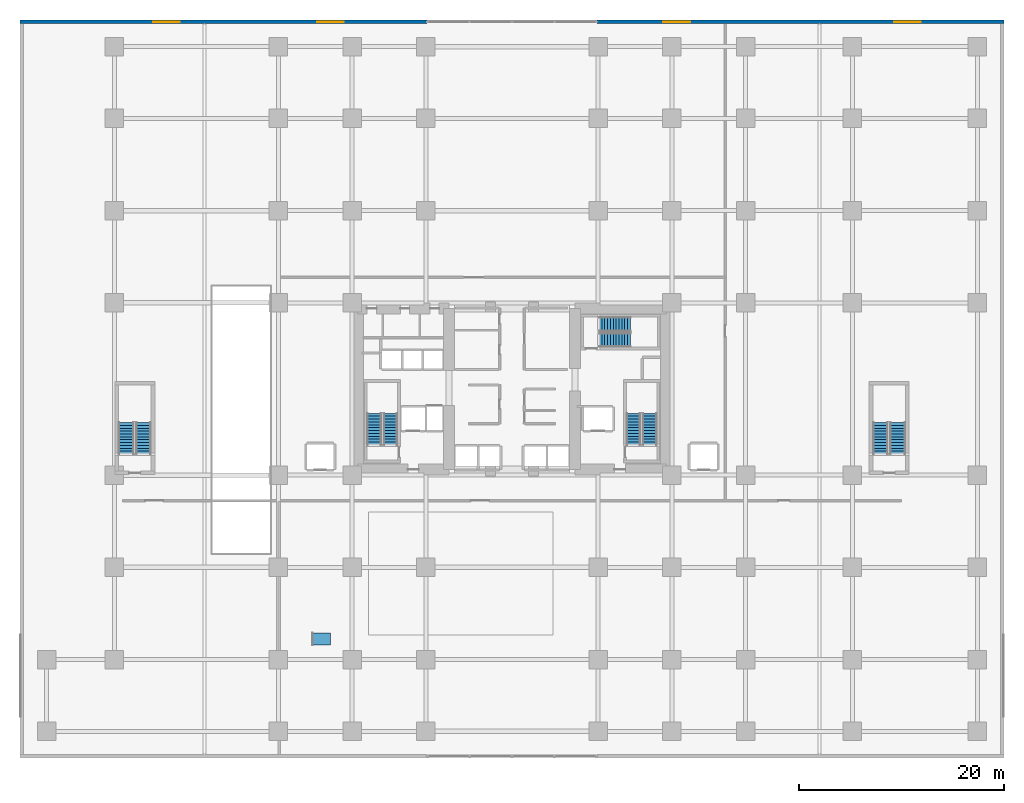
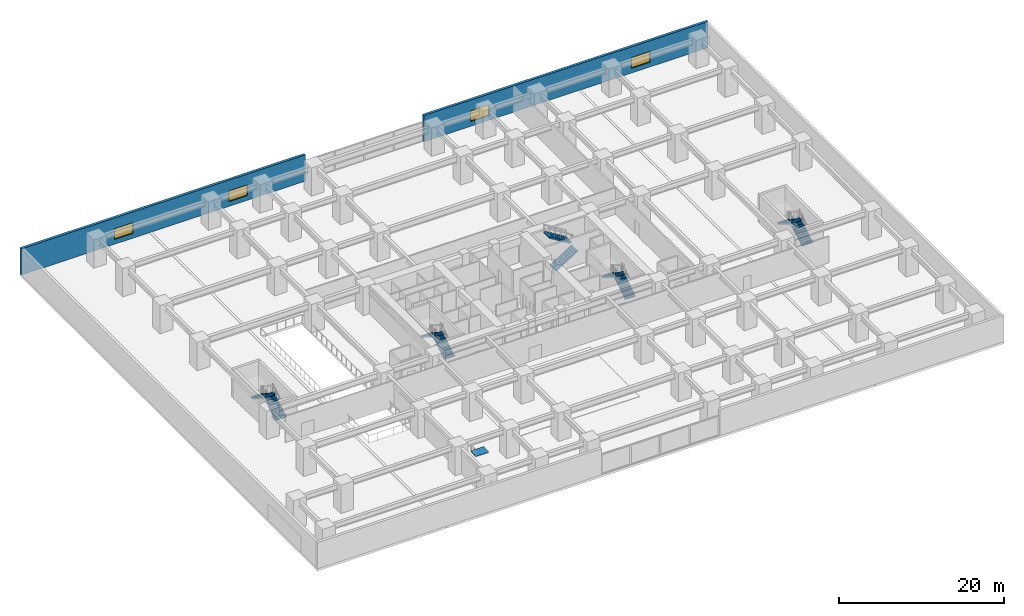
# One storey, part 14 of 22: 10 stair flights, 4 windows, 2 walls, 1 ramp flight, 4 openings, 6 elements without a shape of their own.
"""IFC4 building model written with IfcOpenShell, lengths in metres."""

import ifcopenshell
import ifcopenshell.guid

model = None  # the IFC model being written
_history = None  # IfcOwnerHistory: only IFC2X3 demands one
_inside = {}  # id of a spatial element -> (the spatial element, [elements in it])
_under = {}  # id of a project, library or spatial element -> (it, [spatial elements below it])
_declared = {}  # id of a project -> (the project, [libraries it declares])
_typed = {}  # id of a type object -> (the type object, [elements of that type])
_made_of = {}  # id of a material, layer set ... -> (it, [elements and type objects made of it])


def new_model(schema):
    """Start an empty IFC model of exactly this schema.

    Asked for "IFC4X3", IfcOpenShell would pick the latest addendum, in which some entities
    have other attributes; the version numbers below select the first issue.
    IFC2X3 requires an IfcOwnerHistory on every rooted entity: one is made here for all.
    """
    global model, _history
    if schema == "IFC4X3":
        model = ifcopenshell.file(schema_version=(4, 3, 0, 0))
    else:
        model = ifcopenshell.file(schema=schema)
    _inside.clear()
    _under.clear()
    _declared.clear()
    _typed.clear()
    _made_of.clear()
    _history = None
    if model.schema == "IFC2X3":
        org = make("IfcOrganization", Name="unknown")
        user = make(
            "IfcPersonAndOrganization",
            ThePerson=make("IfcPerson", FamilyName="unknown"),
            TheOrganization=org,
        )
        app = make(
            "IfcApplication",
            ApplicationDeveloper=org,
            Version="unknown",
            ApplicationFullName="unknown",
            ApplicationIdentifier="unknown",
        )
        _history = make(
            "IfcOwnerHistory",
            OwningUser=user,
            OwningApplication=app,
            ChangeAction="ADDED",
            CreationDate=0,
        )
    return model


def make(cls, **values):
    """One entity of the class cls with the attributes given. An attribute that is None is left unset."""
    return model.create_entity(
        cls, **{name: value for name, value in values.items() if value is not None}
    )


def rooted(cls, **values):
    """An entity with a GlobalId (a new one), such as an element, a storey or a relation."""
    return make(cls, GlobalId=ifcopenshell.guid.new(), OwnerHistory=_history, **values)


def si_unit(unit_type, name, prefix=None):
    """IfcSIUnit, for example si_unit("LENGTHUNIT", "METRE", prefix="MILLI")."""
    return make("IfcSIUnit", UnitType=unit_type, Prefix=prefix, Name=name)


def assignment(units):
    """IfcUnitAssignment: the units of a project."""
    return None if units is None else make("IfcUnitAssignment", Units=units)


def point(xyz):
    """IfcCartesianPoint."""
    return None if xyz is None else make("IfcCartesianPoint", Coordinates=xyz)


def direction(xyz):
    """IfcDirection."""
    return None if xyz is None else make("IfcDirection", DirectionRatios=xyz)


def frame(location, z_axis=None, x_axis=None):
    """IfcAxis2Placement3D, a coordinate frame: its origin and axes. An axis left out is left unset."""
    return make(
        "IfcAxis2Placement3D",
        Location=point(location),
        Axis=direction(z_axis),
        RefDirection=direction(x_axis),
    )


def frame_2d(location, x_axis=None):
    """IfcAxis2Placement2D, a coordinate frame in the plane: its origin and x axis."""
    return make(
        "IfcAxis2Placement2D", Location=point(location), RefDirection=direction(x_axis)
    )


def origin():
    """The frame at (0, 0, 0) with its axes left unset."""
    return frame((0.0, 0.0, 0.0))


def place(relative_to, where):
    """IfcLocalPlacement: puts the frame where relative to a parent placement (None: the world)."""
    return make(
        "IfcLocalPlacement", PlacementRelTo=relative_to, RelativePlacement=where
    )


def context(
    kind, dimensions, precision=None, world=None, true_north=None, identifier=None
):
    """IfcGeometricRepresentationContext, for example the 3D "Model" context."""
    return make(
        "IfcGeometricRepresentationContext",
        ContextIdentifier=identifier,
        ContextType=kind,
        CoordinateSpaceDimension=dimensions,
        Precision=precision,
        WorldCoordinateSystem=world,
        TrueNorth=true_north,
    )


def subcontext(parent, identifier, kind, view, scale=None):
    """IfcGeometricRepresentationSubContext, for example "Body" below "Model"."""
    return make(
        "IfcGeometricRepresentationSubContext",
        ContextIdentifier=identifier,
        ContextType=kind,
        ParentContext=parent,
        TargetScale=scale,
        TargetView=view,
    )


def project(units=None, contexts=None):
    """IfcProject with its units and contexts."""
    return rooted(
        "IfcProject",
        Name="project",
        RepresentationContexts=contexts,
        UnitsInContext=assignment(units),
    )


def spatial(cls, under=None, at=None, **own):
    """A site, building, storey or space (cls), placed at a placement, below another one or the project."""
    s = rooted(cls, ObjectPlacement=at, **own)
    if under is not None:
        _under.setdefault(under.id(), (under, []))[1].append(s)
    return s


def polyline(points):
    """IfcPolyline through the points."""
    return make("IfcPolyline", Points=[point(p) for p in points])


def profile(cls, at=None, kind="AREA", **sizes):
    """A parametric profile (cls). Its sizes go by their IFC names, for example OverallWidth=200.0."""
    return make(cls, ProfileType=kind, Position=at, **sizes)


def rectangle(**sizes):
    """IfcRectangleProfileDef."""
    return profile("IfcRectangleProfileDef", **sizes)


def outline(outer, holes=None, kind="AREA"):
    """IfcArbitraryClosedProfileDef: a profile drawn as a closed curve; with holes, ...WithVoids."""
    if holes is None:
        return make("IfcArbitraryClosedProfileDef", ProfileType=kind, OuterCurve=outer)
    return make(
        "IfcArbitraryProfileDefWithVoids",
        ProfileType=kind,
        OuterCurve=outer,
        InnerCurves=holes,
    )


def extrude(swept, where, along, depth):
    """IfcExtrudedAreaSolid: the profile swept, set in the frame where, extruded along a direction by depth."""
    return make(
        "IfcExtrudedAreaSolid",
        SweptArea=swept,
        Position=where,
        ExtrudedDirection=direction(along),
        Depth=depth,
    )


def shape(context_of_items, identifier, shape_type, items):
    """IfcShapeRepresentation: the items that make up one representation, for example the "Body"."""
    return make(
        "IfcShapeRepresentation",
        ContextOfItems=context_of_items,
        RepresentationIdentifier=identifier,
        RepresentationType=shape_type,
        Items=items,
    )


def material(Name=None, Category=None):
    """IfcMaterial."""
    return make("IfcMaterial", Name=Name, Category=Category)


def layer(
    of_material, thickness, ventilated=None, Name=None, Category=None, Priority=None
):
    """IfcMaterialLayer: one layer of a wall or slab, of a material (None: an air gap)."""
    return make(
        "IfcMaterialLayer",
        Material=of_material,
        LayerThickness=thickness,
        IsVentilated=ventilated,
        Name=Name,
        Category=Category,
        Priority=Priority,
    )


def layer_set(layers, Name=None):
    """IfcMaterialLayerSet."""
    return make("IfcMaterialLayerSet", MaterialLayers=layers, LayerSetName=Name)


def made_of(thing, what):
    """Note that an element or type object is made of a material, layer set ...; save() writes the relation."""
    if what is not None:
        _made_of.setdefault(what.id(), (what, []))[1].append(thing)
    return thing


def type_object(cls, material=None, **own):
    """A type object (cls), such as IfcWallType, which elements share."""
    return made_of(rooted(cls, **own), material)


def element(
    cls,
    number,
    at=None,
    inside=None,
    cuts=None,
    type_object=None,
    material=None,
    context=None,
    identifier="Body",
    shape_type=None,
    held_by="IfcProductDefinitionShape",
    body=None,
    shapes=None,
    **own,
):
    """One element of the class cls, such as IfcWall. Its Tag is "e" and its number.

    at: its placement. inside: the storey or other place that contains it. cuts: it is an
    opening in that element (IfcRelVoidsElement). A single representation is given by context,
    identifier, shape_type and body (its items); several are given by shapes. held_by: the class
    of the entity that holds the representations. save() writes the other relations.
    """
    e = rooted(cls, Tag="e%d" % number, ObjectPlacement=at, **own)
    if body is not None:
        shapes = [shape(context, identifier, shape_type, body)]
    if shapes is not None:
        e.Representation = make(held_by, Representations=shapes)
    if inside is not None:
        _inside.setdefault(inside.id(), (inside, []))[1].append(e)
    if cuts is not None:
        rooted(
            "IfcRelVoidsElement", RelatingBuildingElement=cuts, RelatedOpeningElement=e
        )
    if type_object is not None:
        _typed.setdefault(type_object.id(), (type_object, []))[1].append(e)
    return made_of(e, material)


def fill(opening, filler):
    """IfcRelFillsElement: the door or window that sits in an opening."""
    return rooted(
        "IfcRelFillsElement",
        RelatingOpeningElement=opening,
        RelatedBuildingElement=filler,
    )


def aggregate(whole, parts):
    """IfcRelAggregates: a whole, such as a stair, and the parts it consists of."""
    return rooted("IfcRelAggregates", RelatingObject=whole, RelatedObjects=parts)


def save(model, path):
    """Write the relations noted so far, then the file.

    IfcRelAggregates (storeys below a building ...), IfcRelContainedInSpatialStructure (elements
    in a storey), IfcRelDefinesByType, IfcRelAssociatesMaterial and IfcRelDeclares: one each for
    every whole, place, type object, material and project.
    """
    for whole, parts in _under.values():
        aggregate(whole, parts)
    for where, things in _inside.values():
        rooted(
            "IfcRelContainedInSpatialStructure",
            RelatedElements=things,
            RelatingStructure=where,
        )
    for kind, things in _typed.values():
        rooted("IfcRelDefinesByType", RelatedObjects=things, RelatingType=kind)
    for what, things in _made_of.values():
        rooted("IfcRelAssociatesMaterial", RelatedObjects=things, RelatingMaterial=what)
    for by, libraries in _declared.values():
        rooted("IfcRelDeclares", RelatingContext=by, RelatedDefinitions=libraries)
    model.write(path)


model = new_model("IFC4")

# Units and contexts
model_context = context("Model", 3, precision=1e-05, world=origin(), true_north=direction((0.0, 1.0)))
body_context = subcontext(model_context, "Body", "Model", "MODEL_VIEW")
ifc_project = project(units=[si_unit("LENGTHUNIT", "METRE"), si_unit("AREAUNIT", "SQUARE_METRE"), si_unit("VOLUMEUNIT", "CUBIC_METRE"), si_unit("PLANEANGLEUNIT", "RADIAN"), si_unit("MASSUNIT", "GRAM", prefix="KILO")], contexts=[model_context])

# Site, building, storey
site_placement = place(None, origin())
site = spatial("IfcSite", under=ifc_project, at=site_placement, CompositionType="ELEMENT")
building_placement = place(site_placement, origin())
building = spatial("IfcBuilding", under=site, at=building_placement, Name="Kiyonajd Concourse Tower", CompositionType="ELEMENT")
storey_placement = place(building_placement, frame((0.0, 0.0, 8.699951171875)))
storey = spatial("IfcBuildingStorey", under=building, at=storey_placement, Name="L03", CompositionType="ELEMENT", Elevation=8.699951171875)

# Wall, openings, windows
ifc_material_1 = material(Name="Precast concrete C50/60", Category="concrete")
ifc_layer_1 = layer(ifc_material_1, 0.360107421875)
ifc_layer_set_1 = layer_set([ifc_layer_1], Name="Precast concrete C50/60")
wall_type = type_object("IfcWallType", Name="WL-EXT-360", PredefinedType="SOLIDWALL", material=ifc_layer_set_1)
wall_1_placement = place(storey_placement, frame((0.0, 71.820068359375, 0.0), z_axis=(0.0, 0.0, 1.0), x_axis=(1.0, 0.0, 0.0)))
wall_1 = element("IfcWall", 1, at=wall_1_placement, inside=storey, type_object=wall_type, Name="L03 North West Podium Facade Wall", PredefinedType="SOLIDWALL", context=body_context, shape_type="SweptSolid", body=[
    extrude(rectangle(XDim=39.719970703125, YDim=0.360107421875, at=frame_2d((19.85986328125, 0.0))), origin(), (0.0, 0.0, 1.0), 3.880126953125),
])
opening_1_placement = place(wall_1_placement, frame((13.0, 0.0, 0.699951171875)))
opening_1 = element("IfcOpeningElement", 2, at=opening_1_placement, cuts=wall_1, Name="Opening WN8", PredefinedType="OPENING", context=body_context, shape_type="SweptSolid", body=[
    extrude(rectangle(XDim=2.60009765625, YDim=1.60009765625, at=frame_2d((1.300048828125, 0.800048828125))), frame((0.0, 0.18994140625, 0.0), z_axis=(0.0, -1.0, 0.0), x_axis=(1.0, 0.0, 0.0)), (0.0, 0.0, 1.0), 0.380126953125),
])
opening_2_placement = place(wall_1_placement, frame((29.0, 0.0, 0.699951171875)))
opening_2 = element("IfcOpeningElement", 3, at=opening_2_placement, cuts=wall_1, Name="Opening WN8", PredefinedType="OPENING", context=body_context, shape_type="SweptSolid", body=[
    extrude(rectangle(XDim=2.60009765625, YDim=1.60009765625, at=frame_2d((1.300048828125, 0.800048828125))), frame((0.0, 0.18994140625, 0.0), z_axis=(0.0, -1.0, 0.0), x_axis=(1.0, 0.0, 0.0)), (0.0, 0.0, 1.0), 0.380126953125),
])
ifc_material_2 = material(Name="Double Low-E Insulated Glass", Category="glass")
window_type = type_object("IfcWindowType", Name="WN-POD-2600x1600", PartitioningType="SINGLE_PANEL", PredefinedType="WINDOW", material=ifc_material_2)
window_1_placement = place(opening_1_placement, origin())
window_1 = element("IfcWindow", 4, at=window_1_placement, inside=storey, type_object=window_type, Name="L03 North West Podium Vision Window", OverallHeight=1.60009765625, OverallWidth=2.60009765625, PartitioningType="SINGLE_PANEL", PredefinedType="WINDOW", context=body_context, shape_type="SweptSolid", body=[
    extrude(rectangle(XDim=2.60009765625, YDim=1.60009765625, at=frame_2d((1.300048828125, 0.800048828125))), frame((0.0, 0.030029296875, 0.0), z_axis=(0.0, -1.0, 0.0), x_axis=(1.0, 0.0, 0.0)), (0.0, 0.0, 1.0), 0.06005859375),
])
fill(opening_1, window_1)
window_2_placement = place(opening_2_placement, origin())
window_2 = element("IfcWindow", 5, at=window_2_placement, inside=storey, type_object=window_type, Name="L03 North West Podium Vision Window", OverallHeight=1.60009765625, OverallWidth=2.60009765625, PartitioningType="SINGLE_PANEL", PredefinedType="WINDOW", context=body_context, shape_type="SweptSolid", body=[
    extrude(rectangle(XDim=2.60009765625, YDim=1.60009765625, at=frame_2d((1.300048828125, 0.800048828125))), frame((0.0, 0.030029296875, 0.0), z_axis=(0.0, -1.0, 0.0), x_axis=(1.0, 0.0, 0.0)), (0.0, 0.0, 1.0), 0.06005859375),
])
fill(opening_2, window_2)

wall_2_placement = place(storey_placement, frame((56.280029296875, 71.820068359375, 0.0), z_axis=(0.0, 0.0, 1.0), x_axis=(1.0, 0.0, 0.0)))
wall_2 = element("IfcWall", 6, at=wall_2_placement, inside=storey, type_object=wall_type, Name="L03 North East Podium Facade Wall", PredefinedType="SOLIDWALL", context=body_context, shape_type="SweptSolid", body=[
    extrude(rectangle(XDim=39.719970703125, YDim=0.360107421875, at=frame_2d((19.85986328125, 0.0))), origin(), (0.0, 0.0, 1.0), 3.880126953125),
])
opening_3_placement = place(wall_2_placement, frame((6.5, 0.0, 0.699951171875)))
opening_3 = element("IfcOpeningElement", 7, at=opening_3_placement, cuts=wall_2, Name="Opening WN8", PredefinedType="OPENING", context=body_context, shape_type="SweptSolid", body=[
    extrude(rectangle(XDim=2.60009765625, YDim=1.60009765625, at=frame_2d((1.300048828125, 0.800048828125))), frame((0.0, 0.18994140625, 0.0), z_axis=(0.0, -1.0, 0.0), x_axis=(1.0, 0.0, 0.0)), (0.0, 0.0, 1.0), 0.380126953125),
])
opening_4_placement = place(wall_2_placement, frame((29.0, 0.0, 0.699951171875)))
opening_4 = element("IfcOpeningElement", 8, at=opening_4_placement, cuts=wall_2, Name="Opening WN8", PredefinedType="OPENING", context=body_context, shape_type="SweptSolid", body=[
    extrude(rectangle(XDim=2.60009765625, YDim=1.60009765625, at=frame_2d((1.300048828125, 0.800048828125))), frame((0.0, 0.18994140625, 0.0), z_axis=(0.0, -1.0, 0.0), x_axis=(1.0, 0.0, 0.0)), (0.0, 0.0, 1.0), 0.380126953125),
])
window_3_placement = place(opening_3_placement, origin())
window_3 = element("IfcWindow", 9, at=window_3_placement, inside=storey, type_object=window_type, Name="L03 North East Podium Vision Window", OverallHeight=1.60009765625, OverallWidth=2.60009765625, PartitioningType="SINGLE_PANEL", PredefinedType="WINDOW", context=body_context, shape_type="SweptSolid", body=[
    extrude(rectangle(XDim=2.60009765625, YDim=1.60009765625, at=frame_2d((1.300048828125, 0.800048828125))), frame((0.0, 0.030029296875, 0.0), z_axis=(0.0, -1.0, 0.0), x_axis=(1.0, 0.0, 0.0)), (0.0, 0.0, 1.0), 0.06005859375),
])
fill(opening_3, window_3)
window_4_placement = place(opening_4_placement, origin())
window_4 = element("IfcWindow", 10, at=window_4_placement, inside=storey, type_object=window_type, Name="L03 North East Podium Vision Window", OverallHeight=1.60009765625, OverallWidth=2.60009765625, PartitioningType="SINGLE_PANEL", PredefinedType="WINDOW", context=body_context, shape_type="SweptSolid", body=[
    extrude(rectangle(XDim=2.60009765625, YDim=1.60009765625, at=frame_2d((1.300048828125, 0.800048828125))), frame((0.0, 0.030029296875, 0.0), z_axis=(0.0, -1.0, 0.0), x_axis=(1.0, 0.0, 0.0)), (0.0, 0.0, 1.0), 0.06005859375),
])
fill(opening_4, window_4)

# Stair, stair flights
ifc_material_3 = material(Name="Concrete C40/50", Category="concrete")
stair_type_1 = type_object("IfcStairType", Name="ST-POD-1500", PredefinedType="HALF_TURN_STAIR", material=ifc_material_3)
stair_1_placement = place(storey_placement, origin())
stair_1 = element("IfcStair", 11, at=stair_1_placement, inside=storey, type_object=stair_type_1, Name="L03 West Podium Exit Stair ST4", PredefinedType="HALF_TURN_STAIR")
stair_flight_type_1 = type_object("IfcStairFlightType", Name="SF-POD-1500", PredefinedType="STRAIGHT", material=ifc_material_3)
stair_flight_1_placement = place(storey_placement, frame((12.050048828125, 29.64990234375, 0.0), z_axis=(0.0, 0.0, 1.0), x_axis=(0.0, 1.0, 0.0)))
stair_flight_1 = element("IfcStairFlight", 12, at=stair_flight_1_placement, type_object=stair_flight_type_1, Name="ST4 flight 1", NumberOfRisers=12, NumberOfTreads=11, PredefinedType="STRAIGHT", RiserHeight=0.175, TreadLength=0.28, context=body_context, shape_type="SweptSolid", body=[
    extrude(outline(polyline([(0.0, 0.0), (0.0, 0.175048828125), (0.280029296875, 0.175048828125), (0.280029296875, 0.35009765625), (0.56005859375, 0.35009765625), (0.56005859375, 0.52490234375), (0.840087890625, 0.52490234375), (0.840087890625, 0.699951171875), (1.1201171875, 0.699951171875), (1.1201171875, 0.875), (1.39990234375, 0.875), (1.39990234375, 1.050048828125), (1.679931640625, 1.050048828125), (1.679931640625, 1.22509765625), (1.9599609375, 1.22509765625), (1.9599609375, 1.39990234375), (2.239990234375, 1.39990234375), (2.239990234375, 1.574951171875), (2.52001953125, 1.574951171875), (2.52001953125, 1.75), (2.800048828125, 1.75), (2.800048828125, 1.925048828125), (3.080078125, 1.925048828125), (3.080078125, 2.10009765625), (3.080078125, 1.748291015625), (0.28271484375, 0.0), (0.0, 0.0)])), frame((0.0, 0.75, 0.0), z_axis=(0.0, -1.0, 0.0), x_axis=(1.0, 0.0, 0.0)), (0.0, 0.0, 1.0), 1.5),
])
stair_flight_2_placement = place(storey_placement, frame((10.35009765625, 32.72998046875, 2.10009765625), z_axis=(0.0, 0.0, 1.0), x_axis=(0.0, -1.0, 0.0)))
stair_flight_2 = element("IfcStairFlight", 13, at=stair_flight_2_placement, type_object=stair_flight_type_1, Name="ST4 flight 2", NumberOfRisers=12, NumberOfTreads=11, PredefinedType="STRAIGHT", RiserHeight=0.175, TreadLength=0.28, context=body_context, shape_type="SweptSolid", body=[
    extrude(outline(polyline([(0.0, 0.0), (0.0, 0.175048828125), (0.280029296875, 0.175048828125), (0.280029296875, 0.35009765625), (0.56005859375, 0.35009765625), (0.56005859375, 0.52490234375), (0.840087890625, 0.52490234375), (0.840087890625, 0.699951171875), (1.1201171875, 0.699951171875), (1.1201171875, 0.875), (1.39990234375, 0.875), (1.39990234375, 1.050048828125), (1.679931640625, 1.050048828125), (1.679931640625, 1.22509765625), (1.9599609375, 1.22509765625), (1.9599609375, 1.39990234375), (2.239990234375, 1.39990234375), (2.239990234375, 1.574951171875), (2.52001953125, 1.574951171875), (2.52001953125, 1.75), (2.800048828125, 1.75), (2.800048828125, 1.925048828125), (3.080078125, 1.925048828125), (3.080078125, 2.10009765625), (3.080078125, 1.748291015625), (0.28271484375, 0.0), (0.0, 0.0)])), frame((0.0, 0.75, 0.0), z_axis=(0.0, -1.0, 0.0), x_axis=(1.0, 0.0, 0.0)), (0.0, 0.0, 1.0), 1.5),
])
aggregate(stair_1, [stair_flight_1, stair_flight_2])

stair_2_placement = place(storey_placement, origin())
stair_2 = element("IfcStair", 14, at=stair_2_placement, inside=storey, type_object=stair_type_1, Name="L03 East Podium Exit Stair ST5", PredefinedType="HALF_TURN_STAIR")
stair_flight_3_placement = place(storey_placement, frame((85.64990234375, 29.64990234375, 0.0), z_axis=(0.0, 0.0, 1.0), x_axis=(0.0, 1.0, 0.0)))
stair_flight_3 = element("IfcStairFlight", 15, at=stair_flight_3_placement, type_object=stair_flight_type_1, Name="ST5 flight 1", NumberOfRisers=12, NumberOfTreads=11, PredefinedType="STRAIGHT", RiserHeight=0.175, TreadLength=0.28, context=body_context, shape_type="SweptSolid", body=[
    extrude(outline(polyline([(0.0, 0.0), (0.0, 0.175048828125), (0.280029296875, 0.175048828125), (0.280029296875, 0.35009765625), (0.56005859375, 0.35009765625), (0.56005859375, 0.52490234375), (0.840087890625, 0.52490234375), (0.840087890625, 0.699951171875), (1.1201171875, 0.699951171875), (1.1201171875, 0.875), (1.39990234375, 0.875), (1.39990234375, 1.050048828125), (1.679931640625, 1.050048828125), (1.679931640625, 1.22509765625), (1.9599609375, 1.22509765625), (1.9599609375, 1.39990234375), (2.239990234375, 1.39990234375), (2.239990234375, 1.574951171875), (2.52001953125, 1.574951171875), (2.52001953125, 1.75), (2.800048828125, 1.75), (2.800048828125, 1.925048828125), (3.080078125, 1.925048828125), (3.080078125, 2.10009765625), (3.080078125, 1.748291015625), (0.28271484375, 0.0), (0.0, 0.0)])), frame((0.0, 0.75, 0.0), z_axis=(0.0, -1.0, 0.0), x_axis=(1.0, 0.0, 0.0)), (0.0, 0.0, 1.0), 1.5),
])
stair_flight_4_placement = place(storey_placement, frame((83.949951171875, 32.72998046875, 2.10009765625), z_axis=(0.0, 0.0, 1.0), x_axis=(0.0, -1.0, 0.0)))
stair_flight_4 = element("IfcStairFlight", 16, at=stair_flight_4_placement, type_object=stair_flight_type_1, Name="ST5 flight 2", NumberOfRisers=12, NumberOfTreads=11, PredefinedType="STRAIGHT", RiserHeight=0.175, TreadLength=0.28, context=body_context, shape_type="SweptSolid", body=[
    extrude(outline(polyline([(0.0, 0.0), (0.0, 0.175048828125), (0.280029296875, 0.175048828125), (0.280029296875, 0.35009765625), (0.56005859375, 0.35009765625), (0.56005859375, 0.52490234375), (0.840087890625, 0.52490234375), (0.840087890625, 0.699951171875), (1.1201171875, 0.699951171875), (1.1201171875, 0.875), (1.39990234375, 0.875), (1.39990234375, 1.050048828125), (1.679931640625, 1.050048828125), (1.679931640625, 1.22509765625), (1.9599609375, 1.22509765625), (1.9599609375, 1.39990234375), (2.239990234375, 1.39990234375), (2.239990234375, 1.574951171875), (2.52001953125, 1.574951171875), (2.52001953125, 1.75), (2.800048828125, 1.75), (2.800048828125, 1.925048828125), (3.080078125, 1.925048828125), (3.080078125, 2.10009765625), (3.080078125, 1.748291015625), (0.28271484375, 0.0), (0.0, 0.0)])), frame((0.0, 0.75, 0.0), z_axis=(0.0, -1.0, 0.0), x_axis=(1.0, 0.0, 0.0)), (0.0, 0.0, 1.0), 1.5),
])
aggregate(stair_2, [stair_flight_3, stair_flight_4])

stair_type_2 = type_object("IfcStairType", Name="ST-DLG-24R", PredefinedType="HALF_TURN_STAIR", material=ifc_material_3)
stair_3_placement = place(storey_placement, origin())
stair_3 = element("IfcStair", 17, at=stair_3_placement, inside=storey, type_object=stair_type_2, Name="L03 Protected Exit Stair ST1", PredefinedType="HALF_TURN_STAIR")
stair_flight_type_2 = type_object("IfcStairFlightType", Name="SF-STR-24R", PredefinedType="STRAIGHT", material=ifc_material_3)
stair_flight_5_placement = place(storey_placement, frame((36.14990234375, 30.550048828125, 0.0), z_axis=(0.0, 0.0, 1.0), x_axis=(0.0, 1.0, 0.0)))
stair_flight_5 = element("IfcStairFlight", 18, at=stair_flight_5_placement, type_object=stair_flight_type_2, Name="ST1 flight 1", NumberOfRisers=12, NumberOfTreads=11, PredefinedType="STRAIGHT", RiserHeight=0.175, TreadLength=0.28, context=body_context, shape_type="SweptSolid", body=[
    extrude(outline(polyline([(0.0, 0.0), (0.0, 0.175048828125), (0.280029296875, 0.175048828125), (0.280029296875, 0.35009765625), (0.56005859375, 0.35009765625), (0.56005859375, 0.52490234375), (0.840087890625, 0.52490234375), (0.840087890625, 0.699951171875), (1.1201171875, 0.699951171875), (1.1201171875, 0.875), (1.39990234375, 0.875), (1.39990234375, 1.050048828125), (1.679931640625, 1.050048828125), (1.679931640625, 1.22509765625), (1.9599609375, 1.22509765625), (1.9599609375, 1.39990234375), (2.239990234375, 1.39990234375), (2.239990234375, 1.574951171875), (2.52001953125, 1.574951171875), (2.52001953125, 1.75), (2.800048828125, 1.75), (2.800048828125, 1.925048828125), (3.080078125, 1.925048828125), (3.080078125, 2.10009765625), (3.080078125, 1.748291015625), (0.28271484375, 0.0), (0.0, 0.0)])), frame((0.0, 0.699951171875, 0.0), z_axis=(0.0, -1.0, 0.0), x_axis=(1.0, 0.0, 0.0)), (0.0, 0.0, 1.0), 1.39990234375),
])
stair_flight_6_placement = place(storey_placement, frame((34.550048828125, 33.6298828125, 2.10009765625), z_axis=(0.0, 0.0, 1.0), x_axis=(0.0, -1.0, 0.0)))
stair_flight_6 = element("IfcStairFlight", 19, at=stair_flight_6_placement, type_object=stair_flight_type_2, Name="ST1 flight 2", NumberOfRisers=12, NumberOfTreads=11, PredefinedType="STRAIGHT", RiserHeight=0.175, TreadLength=0.28, context=body_context, shape_type="SweptSolid", body=[
    extrude(outline(polyline([(0.0, 0.0), (0.0, 0.175048828125), (0.280029296875, 0.175048828125), (0.280029296875, 0.35009765625), (0.56005859375, 0.35009765625), (0.56005859375, 0.52490234375), (0.840087890625, 0.52490234375), (0.840087890625, 0.699951171875), (1.1201171875, 0.699951171875), (1.1201171875, 0.875), (1.39990234375, 0.875), (1.39990234375, 1.050048828125), (1.679931640625, 1.050048828125), (1.679931640625, 1.22509765625), (1.9599609375, 1.22509765625), (1.9599609375, 1.39990234375), (2.239990234375, 1.39990234375), (2.239990234375, 1.574951171875), (2.52001953125, 1.574951171875), (2.52001953125, 1.75), (2.800048828125, 1.75), (2.800048828125, 1.925048828125), (3.080078125, 1.925048828125), (3.080078125, 2.10009765625), (3.080078125, 1.748291015625), (0.28271484375, 0.0), (0.0, 0.0)])), frame((0.0, 0.699951171875, 0.0), z_axis=(0.0, -1.0, 0.0), x_axis=(1.0, 0.0, 0.0)), (0.0, 0.0, 1.0), 1.39990234375),
])
aggregate(stair_3, [stair_flight_5, stair_flight_6])

stair_4_placement = place(storey_placement, origin())
stair_4 = element("IfcStair", 20, at=stair_4_placement, inside=storey, type_object=stair_type_2, Name="L03 Protected Exit Stair ST2", PredefinedType="HALF_TURN_STAIR")
stair_flight_7_placement = place(storey_placement, frame((61.449951171875, 30.550048828125, 0.0), z_axis=(0.0, 0.0, 1.0), x_axis=(0.0, 1.0, 0.0)))
stair_flight_7 = element("IfcStairFlight", 21, at=stair_flight_7_placement, type_object=stair_flight_type_2, Name="ST2 flight 1", NumberOfRisers=12, NumberOfTreads=11, PredefinedType="STRAIGHT", RiserHeight=0.175, TreadLength=0.28, context=body_context, shape_type="SweptSolid", body=[
    extrude(outline(polyline([(0.0, 0.0), (0.0, 0.175048828125), (0.280029296875, 0.175048828125), (0.280029296875, 0.35009765625), (0.56005859375, 0.35009765625), (0.56005859375, 0.52490234375), (0.840087890625, 0.52490234375), (0.840087890625, 0.699951171875), (1.1201171875, 0.699951171875), (1.1201171875, 0.875), (1.39990234375, 0.875), (1.39990234375, 1.050048828125), (1.679931640625, 1.050048828125), (1.679931640625, 1.22509765625), (1.9599609375, 1.22509765625), (1.9599609375, 1.39990234375), (2.239990234375, 1.39990234375), (2.239990234375, 1.574951171875), (2.52001953125, 1.574951171875), (2.52001953125, 1.75), (2.800048828125, 1.75), (2.800048828125, 1.925048828125), (3.080078125, 1.925048828125), (3.080078125, 2.10009765625), (3.080078125, 1.748291015625), (0.28271484375, 0.0), (0.0, 0.0)])), frame((0.0, 0.699951171875, 0.0), z_axis=(0.0, -1.0, 0.0), x_axis=(1.0, 0.0, 0.0)), (0.0, 0.0, 1.0), 1.39990234375),
])
stair_flight_8_placement = place(storey_placement, frame((59.85009765625, 33.6298828125, 2.10009765625), z_axis=(0.0, 0.0, 1.0), x_axis=(0.0, -1.0, 0.0)))
stair_flight_8 = element("IfcStairFlight", 22, at=stair_flight_8_placement, type_object=stair_flight_type_2, Name="ST2 flight 2", NumberOfRisers=12, NumberOfTreads=11, PredefinedType="STRAIGHT", RiserHeight=0.175, TreadLength=0.28, context=body_context, shape_type="SweptSolid", body=[
    extrude(outline(polyline([(0.0, 0.0), (0.0, 0.175048828125), (0.280029296875, 0.175048828125), (0.280029296875, 0.35009765625), (0.56005859375, 0.35009765625), (0.56005859375, 0.52490234375), (0.840087890625, 0.52490234375), (0.840087890625, 0.699951171875), (1.1201171875, 0.699951171875), (1.1201171875, 0.875), (1.39990234375, 0.875), (1.39990234375, 1.050048828125), (1.679931640625, 1.050048828125), (1.679931640625, 1.22509765625), (1.9599609375, 1.22509765625), (1.9599609375, 1.39990234375), (2.239990234375, 1.39990234375), (2.239990234375, 1.574951171875), (2.52001953125, 1.574951171875), (2.52001953125, 1.75), (2.800048828125, 1.75), (2.800048828125, 1.925048828125), (3.080078125, 1.925048828125), (3.080078125, 2.10009765625), (3.080078125, 1.748291015625), (0.28271484375, 0.0), (0.0, 0.0)])), frame((0.0, 0.699951171875, 0.0), z_axis=(0.0, -1.0, 0.0), x_axis=(1.0, 0.0, 0.0)), (0.0, 0.0, 1.0), 1.39990234375),
])
aggregate(stair_4, [stair_flight_7, stair_flight_8])

stair_5_placement = place(storey_placement, origin())
stair_5 = element("IfcStair", 23, at=stair_5_placement, inside=storey, type_object=stair_type_2, Name="L03 Protected Exit Stair ST3", PredefinedType="HALF_TURN_STAIR")
stair_flight_9_placement = place(storey_placement, frame((56.47998046875, 40.780029296875, 0.0), z_axis=(0.0, 0.0, 1.0), x_axis=(1.0, 0.0, 0.0)))
stair_flight_9 = element("IfcStairFlight", 24, at=stair_flight_9_placement, type_object=stair_flight_type_2, Name="ST3 flight 1", NumberOfRisers=12, NumberOfTreads=11, PredefinedType="STRAIGHT", RiserHeight=0.175, TreadLength=0.28, context=body_context, shape_type="SweptSolid", body=[
    extrude(outline(polyline([(0.0, 0.0), (0.0, 0.175048828125), (0.280029296875, 0.175048828125), (0.280029296875, 0.35009765625), (0.56005859375, 0.35009765625), (0.56005859375, 0.52490234375), (0.840087890625, 0.52490234375), (0.840087890625, 0.699951171875), (1.1201171875, 0.699951171875), (1.1201171875, 0.875), (1.39990234375, 0.875), (1.39990234375, 1.050048828125), (1.679931640625, 1.050048828125), (1.679931640625, 1.22509765625), (1.9599609375, 1.22509765625), (1.9599609375, 1.39990234375), (2.239990234375, 1.39990234375), (2.239990234375, 1.574951171875), (2.52001953125, 1.574951171875), (2.52001953125, 1.75), (2.800048828125, 1.75), (2.800048828125, 1.925048828125), (3.080078125, 1.925048828125), (3.080078125, 2.10009765625), (3.080078125, 1.748291015625), (0.28271484375, 0.0), (0.0, 0.0)])), frame((0.0, 0.699951171875, 0.0), z_axis=(0.0, -1.0, 0.0), x_axis=(1.0, 0.0, 0.0)), (0.0, 0.0, 1.0), 1.39990234375),
])
stair_flight_10_placement = place(storey_placement, frame((59.56005859375, 42.320068359375, 2.10009765625), z_axis=(0.0, 0.0, 1.0), x_axis=(-1.0, 0.0, 0.0)))
stair_flight_10 = element("IfcStairFlight", 25, at=stair_flight_10_placement, type_object=stair_flight_type_2, Name="ST3 flight 2", NumberOfRisers=12, NumberOfTreads=11, PredefinedType="STRAIGHT", RiserHeight=0.175, TreadLength=0.28, context=body_context, shape_type="SweptSolid", body=[
    extrude(outline(polyline([(0.0, 0.0), (0.0, 0.175048828125), (0.280029296875, 0.175048828125), (0.280029296875, 0.35009765625), (0.56005859375, 0.35009765625), (0.56005859375, 0.52490234375), (0.840087890625, 0.52490234375), (0.840087890625, 0.699951171875), (1.1201171875, 0.699951171875), (1.1201171875, 0.875), (1.39990234375, 0.875), (1.39990234375, 1.050048828125), (1.679931640625, 1.050048828125), (1.679931640625, 1.22509765625), (1.9599609375, 1.22509765625), (1.9599609375, 1.39990234375), (2.239990234375, 1.39990234375), (2.239990234375, 1.574951171875), (2.52001953125, 1.574951171875), (2.52001953125, 1.75), (2.800048828125, 1.75), (2.800048828125, 1.925048828125), (3.080078125, 1.925048828125), (3.080078125, 2.10009765625), (3.080078125, 1.748291015625), (0.28271484375, 0.0), (0.0, 0.0)])), frame((0.0, 0.699951171875, 0.0), z_axis=(0.0, -1.0, 0.0), x_axis=(1.0, 0.0, 0.0)), (0.0, 0.0, 1.0), 1.39990234375),
])
aggregate(stair_5, [stair_flight_9, stair_flight_10])

# Ramp, ramp flight
ramp_type = type_object("IfcRampType", Name="RM-PED-1800", PredefinedType="STRAIGHT_RUN_RAMP", material=ifc_material_3)
ramp_placement = place(storey_placement, origin())
ramp = element("IfcRamp", 26, at=ramp_placement, inside=storey, type_object=ramp_type, Name="L03 Accessible Threshold Ramp PR3", PredefinedType="STRAIGHT_RUN_RAMP")
ifc_layer_2 = layer(ifc_material_3, 0.179931640625)
ifc_layer_set_2 = layer_set([ifc_layer_2], Name="Concrete C40/50")
ramp_flight_type = type_object("IfcRampFlightType", Name="RF-PED-180", PredefinedType="STRAIGHT", material=ifc_layer_set_2)
ramp_flight_placement = place(storey_placement, frame((28.5, 11.0, 0.0), z_axis=(0.0, -0.083129378007, 0.996538763176), x_axis=(1.0, 0.0, 0.0)))
ramp_flight = element("IfcRampFlight", 27, at=ramp_flight_placement, type_object=ramp_flight_type, Name="L03 Accessible Ramp Flight PR3", PredefinedType="STRAIGHT", context=body_context, shape_type="SweptSolid", body=[
    extrude(outline(polyline([(0.0, 0.0), (1.800048828125, 0.0), (1.800048828125, 1.2041189125958156), (0.0, 1.2041189125958156), (0.0, 0.0)])), origin(), (0.0, 0.0, -1.0), 0.179931640625),
])
aggregate(ramp, [ramp_flight])

save(model, "model.ifc")
